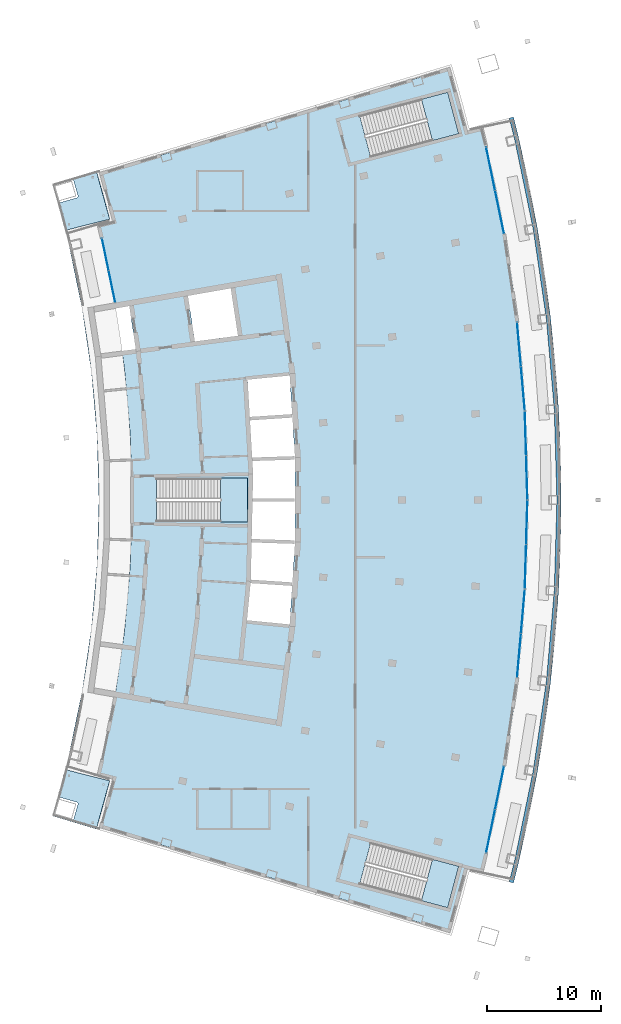
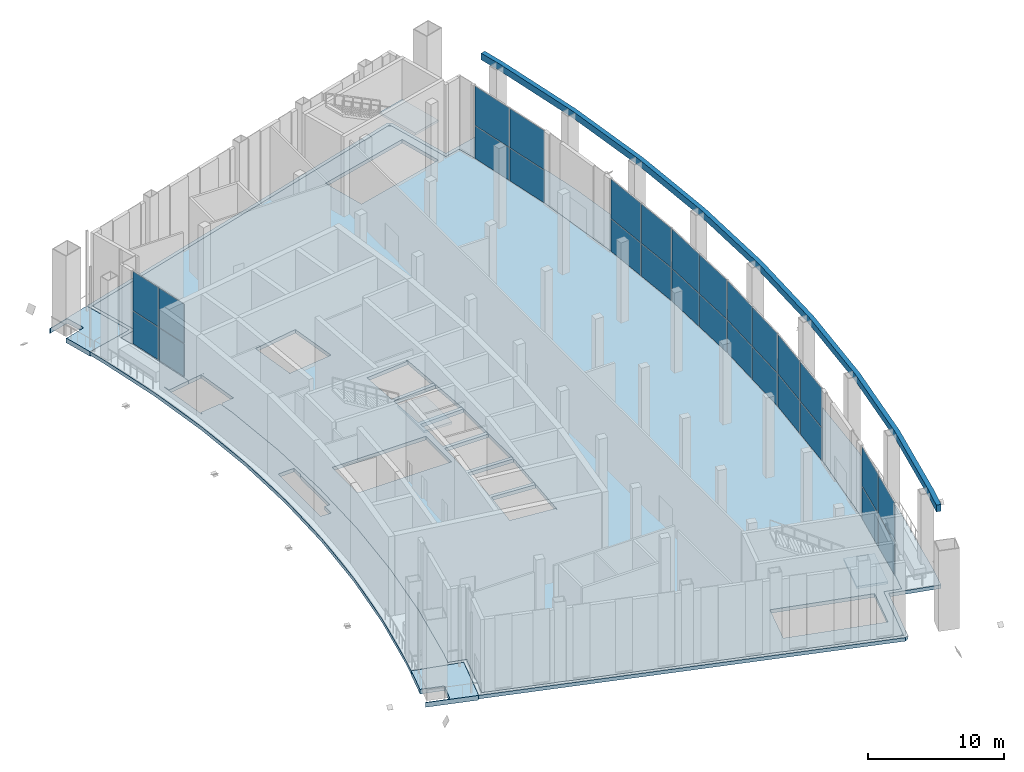
# One storey, part 12 of 25: 28 plates, 8 slabs, 10 elements without a shape of their own.
"""IFC4 building model written with IfcOpenShell, lengths in metres."""

from ifc_helpers import new_model, si_unit, direction, frame, origin, origin_2d, place, context, subcontext, project, spatial, polyline, rectangle, outline, extrude, material, layer, layer_set, type_object, element, aggregate, save


model = new_model("IFC4")

# Units and contexts
model_context = context("Model", 3, precision=1e-05, world=origin(), true_north=direction((0.0, 1.0)))
body_context = subcontext(model_context, "Body", "Model", "MODEL_VIEW")
ifc_project = project(units=[si_unit("LENGTHUNIT", "METRE"), si_unit("AREAUNIT", "SQUARE_METRE"), si_unit("VOLUMEUNIT", "CUBIC_METRE"), si_unit("PLANEANGLEUNIT", "RADIAN"), si_unit("MASSUNIT", "GRAM", prefix="KILO")], contexts=[model_context])

# Site, building, storey
site_placement = place(None, origin())
site = spatial("IfcSite", under=ifc_project, at=site_placement, CompositionType="ELEMENT")
building_placement = place(site_placement, origin())
building = spatial("IfcBuilding", under=site, at=building_placement, Name="Alderwake Tower", CompositionType="ELEMENT")
storey_placement = place(building_placement, frame((0.0, 0.0, 288.800048828125)))
storey = spatial("IfcBuildingStorey", under=building, at=storey_placement, Name="L72", CompositionType="ELEMENT", Elevation=288.800048828125)

# Slabs
ifc_material_1 = material(Name="Concrete C50/60", Category="concrete")
ifc_layer_1 = layer(ifc_material_1, 0.320068359375)
ifc_layer_set_1 = layer_set([ifc_layer_1], Name="Concrete C50/60 post-tensioned flat plate 320")
slab_type_1 = type_object("IfcSlabType", Name="Concrete C50/60 post-tensioned flat plate 320", PredefinedType="FLOOR", material=ifc_layer_set_1)
slab_1_placement = place(storey_placement, frame((0.0, 0.0, -0.320068359375)))
element("IfcSlab", 1, at=slab_1_placement, inside=storey, type_object=slab_type_1, Name="Floor slab L72", PredefinedType="FLOOR", context=body_context, shape_type="SweptSolid", body=[
    extrude(outline(polyline([(19.224609375, 74.1796875), (18.656005859375, 77.940673828125), (18.852294921875, 77.97021484375), (18.8505859375, 77.980224609375), (17.460205078125, 77.73779296875), (17.389404296875, 78.21923828125), (16.219970703125, 83.867919921875), (15.923583984375, 84.97119140625), (17.3134765625, 85.322998046875), (16.14404296875, 89.552001953125), (46.380615234375, 98.6298828125), (46.662109375, 98.474365234375), (48.14111328125, 93.126220703125), (49.454833984375, 93.458740234375), (49.88232421875, 91.8681640625), (51.4609375, 84.243408203125), (52.592529296875, 76.539794921875), (53.27294921875, 68.783203125), (53.5, 61.0), (53.27294921875, 53.216796875), (52.592529296875, 45.460205078125), (51.4609375, 37.756591796875), (49.88232421875, 30.1318359375), (49.454833984375, 28.541259765625), (48.14111328125, 28.873779296875), (46.662109375, 23.525634765625), (46.380615234375, 23.3701171875), (16.14404296875, 32.447998046875), (17.3134765625, 36.677001953125), (15.923583984375, 37.02880859375), (16.219970703125, 38.132080078125), (17.389404296875, 43.78076171875), (18.227783203125, 49.48779296875), (18.731689453125, 55.234130859375), (18.89990234375, 61.0), (18.731689453125, 66.765869140625), (18.227783203125, 72.51220703125), (18.03955078125, 73.79248046875), (18.234375, 74.050048828125), (19.224609375, 74.1796875)]), holes=[polyline([(29.25732421875, 53.7685546875), (28.939697265625, 50.49072265625), (32.646484375, 50.128173828125), (32.6318359375, 49.978759765625), (32.661865234375, 49.975830078125), (32.90087890625, 53.64794921875), (33.139892578125, 57.320068359375), (33.139892578125, 61.0), (33.139892578125, 64.679931640625), (32.90087890625, 68.35205078125), (32.661865234375, 72.024169921875), (32.6318359375, 72.021240234375), (32.646484375, 71.871826171875), (28.886962890625, 71.50390625), (28.88720703125, 71.50048828125), (28.99462890625, 71.506591796875), (29.184814453125, 68.26025390625), (32.861083984375, 68.499755859375), (32.87109375, 68.35009765625), (32.880615234375, 68.200439453125), (29.2021484375, 67.960693359375), (29.392578125, 64.7080078125), (33.105224609375, 64.828857421875), (33.110107421875, 64.678955078125), (33.114990234375, 64.529052734375), (29.41015625, 64.408447265625), (29.4765625, 63.27685546875), (29.429443359375, 61.14990234375), (33.110107421875, 61.14990234375), (33.110107421875, 61.0), (33.110107421875, 60.85009765625), (29.4228515625, 60.85009765625), (29.350830078125, 57.593505859375), (33.114990234375, 57.470947265625), (33.110107421875, 57.321044921875), (33.105224609375, 57.171142578125), (29.34423828125, 57.29345703125), (29.2705078125, 53.9697265625), (29.274169921875, 53.969482421875), (29.2783203125, 54.0341796875), (32.880615234375, 53.799560546875), (32.87109375, 53.64990234375), (32.861083984375, 53.500244140625), (29.2587890625, 53.73486328125), (29.260986328125, 53.768310546875), (29.25732421875, 53.7685546875)]), polyline([(21.050048828125, 62.875), (21.050048828125, 59.125), (29.0, 59.125), (29.0, 62.875), (21.050048828125, 62.875)]), polyline([(27.521240234375, 79.491943359375), (23.77783203125, 78.83935546875), (24.384033203125, 74.858642578125), (24.3642578125, 74.855712890625), (24.36474609375, 74.851806640625), (28.152587890625, 75.347412109375), (27.521240234375, 79.491943359375)]), polyline([(47.436279296875, 28.996826171875), (39.754150390625, 31.043212890625), (38.7890625, 27.41943359375), (46.47119140625, 25.373291015625), (47.436279296875, 28.996826171875)]), polyline([(46.47119140625, 96.626708984375), (38.7890625, 94.58056640625), (39.754150390625, 90.956787109375), (47.436279296875, 93.003173828125), (46.47119140625, 96.626708984375)])]), origin(), (0.0, 0.0, 1.0), 0.320068359375),
])
ifc_material_2 = material(Name="Concrete C50/60", Category="concrete")
ifc_layer_2 = layer(ifc_material_2, 0.60009765625)
ifc_layer_set_2 = layer_set([ifc_layer_2], Name="Concrete C50/60 roof slab 600")
slab_type_2 = type_object("IfcSlabType", Name="Concrete C50/60 roof slab 600", PredefinedType="ROOF", material=ifc_layer_set_2)
slab_2_placement = place(storey_placement, frame((0.0, 0.0, 6.599853515625)))
element("IfcSlab", 2, at=slab_2_placement, inside=storey, type_object=slab_type_2, Name="Roof slab L72 1", PredefinedType="ROOF", context=body_context, shape_type="SweptSolid", body=[
    extrude(outline(polyline([(52.70361328125, 92.538818359375), (54.316650390625, 84.748291015625), (55.472900390625, 76.877197265625), (56.16796875, 68.9521484375), (56.39990234375, 61.0), (56.16796875, 53.0478515625), (55.472900390625, 45.122802734375), (54.316650390625, 37.251708984375), (52.70361328125, 29.461181640625), (52.229736328125, 27.529541015625), (51.861328125, 27.622802734375), (51.861328125, 27.622802734375), (51.861328125, 27.622802734375), (52.333984375, 29.549072265625), (52.333984375, 29.5498046875), (53.9423828125, 37.317138671875), (53.942626953125, 37.318359375), (55.09521484375, 45.16650390625), (55.095458984375, 45.16748046875), (55.78857421875, 53.069580078125), (55.788818359375, 53.070556640625), (56.02001953125, 60.99951171875), (56.02001953125, 61.00048828125), (55.788818359375, 68.929443359375), (55.78857421875, 68.930419921875), (55.095458984375, 76.83251953125), (55.09521484375, 76.83349609375), (53.942626953125, 84.681640625), (53.9423828125, 84.682861328125), (52.333984375, 92.4501953125), (52.333984375, 92.450927734375), (51.861328125, 94.377197265625), (51.861328125, 94.377197265625), (51.861328125, 94.377197265625), (52.229736328125, 94.470458984375), (52.70361328125, 92.538818359375)])), origin(), (0.0, 0.0, 1.0), 0.60009765625),
])
ifc_material_3 = material(Name="Concrete C50/60", Category="concrete")
ifc_layer_3 = layer(ifc_material_3, 0.320068359375)
ifc_layer_set_3 = layer_set([ifc_layer_3], Name="Concrete C50/60 terrace slab 320")
slab_type_3 = type_object("IfcSlabType", Name="Concrete C50/60 terrace slab 320", PredefinedType="FLOOR", material=ifc_layer_set_3)
slab_3_placement = place(storey_placement, frame((0.0, 0.0, -0.320068359375)))
element("IfcSlab", 3, at=slab_3_placement, inside=storey, type_object=slab_type_3, Name="Terrace slab L72", PredefinedType="FLOOR", context=body_context, shape_type="SweptSolid", body=[
    extrude(outline(polyline([(13.3984375, 38.802734375), (14.53369140625, 44.28564453125), (15.347412109375, 49.825439453125), (15.836669921875, 55.4033203125), (16.0, 61.0), (15.836669921875, 66.5966796875), (15.347412109375, 72.174560546875), (14.53369140625, 77.71435546875), (13.3984375, 83.197265625), (13.06494140625, 84.556884765625), (16.942626953125, 85.53857421875), (15.776611328125, 89.7548828125), (46.587890625, 99.00537109375), (46.869384765625, 98.849853515625), (48.35205078125, 93.489013671875), (52.229736328125, 94.470458984375), (52.70361328125, 92.538818359375), (54.316650390625, 84.748291015625), (55.472900390625, 76.877197265625), (56.16796875, 68.9521484375), (56.39990234375, 61.0), (56.16796875, 53.0478515625), (55.472900390625, 45.122802734375), (54.316650390625, 37.251708984375), (52.70361328125, 29.461181640625), (52.229736328125, 27.529541015625), (48.35205078125, 28.510986328125), (46.869384765625, 23.150146484375), (46.587890625, 22.99462890625), (15.776611328125, 32.2451171875), (16.942626953125, 36.46142578125), (13.06494140625, 37.443115234375), (13.3984375, 38.802734375)]), holes=[polyline([(48.14111328125, 28.873779296875), (49.454833984375, 28.541259765625), (49.88232421875, 30.1318359375), (51.4609375, 37.756591796875), (52.592529296875, 45.460205078125), (53.27294921875, 53.216796875), (53.5, 61.0), (53.27294921875, 68.783203125), (52.592529296875, 76.539794921875), (51.4609375, 84.243408203125), (49.88232421875, 91.8681640625), (49.454833984375, 93.458740234375), (48.14111328125, 93.126220703125), (46.600830078125, 98.696044921875), (16.14404296875, 89.552001953125), (17.3134765625, 85.322998046875), (15.923583984375, 84.97119140625), (16.219970703125, 83.867919921875), (17.389404296875, 78.21923828125), (17.460205078125, 77.73779296875), (15.626220703125, 77.418212890625), (15.54345703125, 77.892822265625), (15.437744140625, 77.874267578125), (15.4384765625, 77.87060546875), (15.519287109375, 77.8828125), (16.180908203125, 73.579833984375), (16.210693359375, 73.583740234375), (16.184814453125, 73.781982421875), (18.006103515625, 74.020263671875), (18.227783203125, 72.51220703125), (18.731689453125, 66.765869140625), (18.89990234375, 61.0), (18.731689453125, 55.234130859375), (18.227783203125, 49.48779296875), (17.389404296875, 43.78076171875), (16.219970703125, 38.132080078125), (15.923583984375, 37.02880859375), (17.3134765625, 36.677001953125), (16.14404296875, 32.447998046875), (46.600830078125, 23.303955078125), (48.14111328125, 28.873779296875)]), polyline([(17.189453125, 64.114990234375), (17.189453125, 57.885009765625), (18.06298828125, 57.85400390625), (18.090576171875, 58.84375), (18.544189453125, 58.831298828125), (18.529296875, 58.8681640625), (18.5234375, 58.891845703125), (18.5185546875, 58.940673828125), (18.5185546875, 63.060302734375), (18.5234375, 63.109130859375), (18.53759765625, 63.156005859375), (18.560791015625, 63.19921875), (18.588623046875, 63.2333984375), (18.562744140625, 64.16357421875), (17.189453125, 64.114990234375)])]), origin(), (0.0, 0.0, 1.0), 0.320068359375),
])

# Stair, slab
ifc_material_4 = material(Name="Concrete C40/50", Category="concrete")
stair_type = type_object("IfcStairType", Name="Core exit stair", PredefinedType="HALF_TURN_STAIR", material=ifc_material_4)
stair_1_placement = place(storey_placement, origin())
stair_1 = element("IfcStair", 4, at=stair_1_placement, inside=storey, type_object=stair_type, Name="L72 Exit Stair B", PredefinedType="HALF_TURN_STAIR")
ifc_material_5 = material(Name="Concrete C40/50", Category="concrete")
ifc_layer_4 = layer(ifc_material_5, 0.199951171875)
ifc_layer_set_4 = layer_set([ifc_layer_4], Name="Core stair landing 200")
slab_type_4 = type_object("IfcSlabType", Name="Core stair landing 200", PredefinedType="LANDING", material=ifc_layer_set_4)
slab_4_placement = place(storey_placement, frame((0.0, 0.0, 3.39990234375)))
slab_4 = element("IfcSlab", 5, at=slab_4_placement, type_object=slab_type_4, Name="ST-B landing 1", PredefinedType="LANDING", context=body_context, shape_type="SweptSolid", body=[
    extrude(outline(polyline([(26.6298828125, 59.074951171875), (29.0, 59.074951171875), (29.0, 62.925048828125), (26.6298828125, 62.925048828125), (26.6298828125, 59.074951171875)])), origin(), (0.0, 0.0, 1.0), 0.199951171875),
])
aggregate(stair_1, [slab_4])

stair_2_placement = place(storey_placement, origin())
stair_2 = element("IfcStair", 6, at=stair_2_placement, inside=storey, type_object=stair_type, Name="L72 Exit Stair A", PredefinedType="HALF_TURN_STAIR")
slab_5_placement = place(storey_placement, frame((0.0, 0.0, 3.39990234375)))
slab_5 = element("IfcSlab", 7, at=slab_5_placement, type_object=slab_type_4, Name="ST-A landing 1", PredefinedType="LANDING", context=body_context, shape_type="SweptSolid", body=[
    extrude(outline(polyline([(45.146240234375, 92.39306640625), (47.436279296875, 93.003173828125), (46.47119140625, 96.626708984375), (44.18115234375, 96.0166015625), (45.146240234375, 92.39306640625)])), origin(), (0.0, 0.0, 1.0), 0.199951171875),
])
aggregate(stair_2, [slab_5])

stair_3_placement = place(storey_placement, origin())
stair_3 = element("IfcStair", 8, at=stair_3_placement, inside=storey, type_object=stair_type, Name="L72 Exit Stair C", PredefinedType="HALF_TURN_STAIR")
slab_6_placement = place(storey_placement, frame((0.0, 0.0, 3.39990234375)))
slab_6 = element("IfcSlab", 9, at=slab_6_placement, type_object=slab_type_4, Name="ST-C landing 1", PredefinedType="LANDING", context=body_context, shape_type="SweptSolid", body=[
    extrude(outline(polyline([(44.180908203125, 25.983154296875), (46.47119140625, 25.373291015625), (47.436279296875, 28.996826171875), (45.146240234375, 29.60693359375), (44.180908203125, 25.983154296875)])), origin(), (0.0, 0.0, 1.0), 0.199951171875),
])
aggregate(stair_3, [slab_6])

# Curtain wall, plates
ifc_material_6 = material(Name="Bronze tinted glass in aluminium frame", Category="aluminium")
ifc_layer_5 = layer(ifc_material_6, 0.199951171875)
ifc_layer_set_5 = layer_set([ifc_layer_5], Name="Curtain wall CW3 sky garden glazing")
curtain_wall_type = type_object("IfcCurtainWallType", Name="Curtain wall CW3 sky garden glazing", PredefinedType="NOTDEFINED", material=ifc_layer_set_5)
curtain_wall_1_placement = place(storey_placement, origin())
curtain_wall_1 = element("IfcCurtainWall", 10, at=curtain_wall_1_placement, inside=storey, type_object=curtain_wall_type, Name="Curtain wall 1", PredefinedType="NOTDEFINED")
ifc_material_7 = material(Name="Bronze tinted glass in aluminium frame", Category="aluminium")
ifc_layer_6 = layer(ifc_material_7, 0.028076171875)
ifc_layer_set_6 = layer_set([ifc_layer_6], Name="Glass panel GPC 28")
plate_type = type_object("IfcPlateType", Name="Glass panel GPC 28", PredefinedType="CURTAIN_PANEL", material=ifc_layer_set_6)
plate_1_placement = place(storey_placement, frame((16.564208984375, 82.451416015625, 0.06005859375), z_axis=(0.0, 0.0, 1.0), x_axis=(0.202754693524, -0.979229561571, 0.0)))
plate_1 = element("IfcPlate", 11, at=plate_1_placement, type_object=plate_type, Name="CW.01 panel 1.1", PredefinedType="CURTAIN_PANEL", context=body_context, shape_type="SweptSolid", body=[
    extrude(rectangle(XDim=2.793212890625, YDim=0.028076171875, at=origin_2d()), origin(), (0.0, 0.0, 1.0), 2.909912109375),
])
plate_2_placement = place(storey_placement, frame((16.564208984375, 82.451416015625, 3.02978515625), z_axis=(0.0, 0.0, 1.0), x_axis=(0.202754693524, -0.979229561571, 0.0)))
plate_2 = element("IfcPlate", 12, at=plate_2_placement, type_object=plate_type, Name="CW.01 panel 1.2", PredefinedType="CURTAIN_PANEL", context=body_context, shape_type="SweptSolid", body=[
    extrude(rectangle(XDim=2.793212890625, YDim=0.028076171875, at=origin_2d()), origin(), (0.0, 0.0, 1.0), 3.510009765625),
])
plate_3_placement = place(storey_placement, frame((17.142822265625, 79.657470703125, 0.06005859375), z_axis=(0.0, 0.0, 1.0), x_axis=(0.202754693524, -0.979229561571, 0.0)))
plate_3 = element("IfcPlate", 13, at=plate_3_placement, type_object=plate_type, Name="CW.01 panel 2.1", PredefinedType="CURTAIN_PANEL", context=body_context, shape_type="SweptSolid", body=[
    extrude(rectangle(XDim=2.793212890625, YDim=0.028076171875, at=origin_2d()), origin(), (0.0, 0.0, 1.0), 2.909912109375),
])
plate_4_placement = place(storey_placement, frame((17.142822265625, 79.657470703125, 3.02978515625), z_axis=(0.0, 0.0, 1.0), x_axis=(0.202754693524, -0.979229561571, 0.0)))
plate_4 = element("IfcPlate", 14, at=plate_4_placement, type_object=plate_type, Name="CW.01 panel 2.2", PredefinedType="CURTAIN_PANEL", context=body_context, shape_type="SweptSolid", body=[
    extrude(rectangle(XDim=2.793212890625, YDim=0.028076171875, at=origin_2d()), origin(), (0.0, 0.0, 1.0), 3.510009765625),
])
aggregate(curtain_wall_1, [plate_1, plate_2, plate_3, plate_4])

curtain_wall_2_placement = place(storey_placement, origin())
curtain_wall_2 = element("IfcCurtainWall", 15, at=curtain_wall_2_placement, inside=storey, type_object=curtain_wall_type, Name="Curtain wall 2", PredefinedType="NOTDEFINED")
plate_5_placement = place(storey_placement, frame((50.23095703125, 32.062744140625, 0.06005859375), z_axis=(0.0, 0.0, 1.0), x_axis=(0.20275041729, 0.979230446978, 0.0)))
plate_5 = element("IfcPlate", 16, at=plate_5_placement, type_object=plate_type, Name="CW.02 panel 1.1", PredefinedType="CURTAIN_PANEL", context=body_context, shape_type="SweptSolid", body=[
    extrude(rectangle(XDim=3.80322265625, YDim=0.028076171875, at=origin_2d()), origin(), (0.0, 0.0, 1.0), 2.909912109375),
])
plate_6_placement = place(storey_placement, frame((50.23095703125, 32.062744140625, 3.02978515625), z_axis=(0.0, 0.0, 1.0), x_axis=(0.20275041729, 0.979230446978, 0.0)))
plate_6 = element("IfcPlate", 17, at=plate_6_placement, type_object=plate_type, Name="CW.02 panel 1.2", PredefinedType="CURTAIN_PANEL", context=body_context, shape_type="SweptSolid", body=[
    extrude(rectangle(XDim=3.80322265625, YDim=0.028076171875, at=origin_2d()), origin(), (0.0, 0.0, 1.0), 3.510009765625),
])
plate_7_placement = place(storey_placement, frame((51.014404296875, 35.845947265625, 0.06005859375), z_axis=(0.0, 0.0, 1.0), x_axis=(0.20275041729, 0.979230446978, 0.0)))
plate_7 = element("IfcPlate", 18, at=plate_7_placement, type_object=plate_type, Name="CW.02 panel 2.1", PredefinedType="CURTAIN_PANEL", context=body_context, shape_type="SweptSolid", body=[
    extrude(rectangle(XDim=3.80322265625, YDim=0.028076171875, at=origin_2d()), origin(), (0.0, 0.0, 1.0), 2.909912109375),
])
plate_8_placement = place(storey_placement, frame((51.014404296875, 35.845947265625, 3.02978515625), z_axis=(0.0, 0.0, 1.0), x_axis=(0.20275041729, 0.979230446978, 0.0)))
plate_8 = element("IfcPlate", 19, at=plate_8_placement, type_object=plate_type, Name="CW.02 panel 2.2", PredefinedType="CURTAIN_PANEL", context=body_context, shape_type="SweptSolid", body=[
    extrude(rectangle(XDim=3.80322265625, YDim=0.028076171875, at=origin_2d()), origin(), (0.0, 0.0, 1.0), 3.510009765625),
])
aggregate(curtain_wall_2, [plate_5, plate_6, plate_7, plate_8])

curtain_wall_3_placement = place(storey_placement, origin())
curtain_wall_3 = element("IfcCurtainWall", 20, at=curtain_wall_3_placement, inside=storey, type_object=curtain_wall_type, Name="Curtain wall 3", PredefinedType="NOTDEFINED")
plate_9_placement = place(storey_placement, frame((52.714111328125, 47.418701171875, 0.06005859375), z_axis=(0.0, 0.0, 1.0), x_axis=(0.087383300533, 0.996174763176, 0.0)))
plate_9 = element("IfcPlate", 21, at=plate_9_placement, type_object=plate_type, Name="CW.03 panel 1.1", PredefinedType="CURTAIN_PANEL", context=body_context, shape_type="SweptSolid", body=[
    extrude(rectangle(XDim=3.80322265625, YDim=0.028076171875, at=origin_2d()), origin(), (0.0, 0.0, 1.0), 2.909912109375),
])
plate_10_placement = place(storey_placement, frame((52.714111328125, 47.418701171875, 3.02978515625), z_axis=(0.0, 0.0, 1.0), x_axis=(0.087383300533, 0.996174763176, 0.0)))
plate_10 = element("IfcPlate", 22, at=plate_10_placement, type_object=plate_type, Name="CW.03 panel 1.2", PredefinedType="CURTAIN_PANEL", context=body_context, shape_type="SweptSolid", body=[
    extrude(rectangle(XDim=3.80322265625, YDim=0.028076171875, at=origin_2d()), origin(), (0.0, 0.0, 1.0), 3.510009765625),
])
plate_11_placement = place(storey_placement, frame((53.0517578125, 51.26708984375, 0.06005859375), z_axis=(0.0, 0.0, 1.0), x_axis=(0.087383300533, 0.996174763176, 0.0)))
plate_11 = element("IfcPlate", 23, at=plate_11_placement, type_object=plate_type, Name="CW.03 panel 2.1", PredefinedType="CURTAIN_PANEL", context=body_context, shape_type="SweptSolid", body=[
    extrude(rectangle(XDim=3.80322265625, YDim=0.028076171875, at=origin_2d()), origin(), (0.0, 0.0, 1.0), 2.909912109375),
])
plate_12_placement = place(storey_placement, frame((53.0517578125, 51.26708984375, 3.02978515625), z_axis=(0.0, 0.0, 1.0), x_axis=(0.087383300533, 0.996174763176, 0.0)))
plate_12 = element("IfcPlate", 24, at=plate_12_placement, type_object=plate_type, Name="CW.03 panel 2.2", PredefinedType="CURTAIN_PANEL", context=body_context, shape_type="SweptSolid", body=[
    extrude(rectangle(XDim=3.80322265625, YDim=0.028076171875, at=origin_2d()), origin(), (0.0, 0.0, 1.0), 3.510009765625),
])
aggregate(curtain_wall_3, [plate_9, plate_10, plate_11, plate_12])

curtain_wall_4_placement = place(storey_placement, origin())
curtain_wall_4 = element("IfcCurtainWall", 25, at=curtain_wall_4_placement, inside=storey, type_object=curtain_wall_type, Name="Curtain wall 4", PredefinedType="NOTDEFINED")
plate_13_placement = place(storey_placement, frame((53.280029296875, 55.17919921875, 0.06005859375), z_axis=(0.0, 0.0, 1.0), x_axis=(0.029166191657, 0.999574576139, 0.0)))
plate_13 = element("IfcPlate", 26, at=plate_13_placement, type_object=plate_type, Name="CW.04 panel 1.1", PredefinedType="CURTAIN_PANEL", context=body_context, shape_type="SweptSolid", body=[
    extrude(rectangle(XDim=3.80322265625, YDim=0.028076171875, at=origin_2d()), origin(), (0.0, 0.0, 1.0), 2.909912109375),
])
plate_14_placement = place(storey_placement, frame((53.280029296875, 55.17919921875, 3.02978515625), z_axis=(0.0, 0.0, 1.0), x_axis=(0.029166191657, 0.999574576139, 0.0)))
plate_14 = element("IfcPlate", 27, at=plate_14_placement, type_object=plate_type, Name="CW.04 panel 1.2", PredefinedType="CURTAIN_PANEL", context=body_context, shape_type="SweptSolid", body=[
    extrude(rectangle(XDim=3.80322265625, YDim=0.028076171875, at=origin_2d()), origin(), (0.0, 0.0, 1.0), 3.510009765625),
])
plate_15_placement = place(storey_placement, frame((53.392822265625, 59.040771484375, 0.06005859375), z_axis=(0.0, 0.0, 1.0), x_axis=(0.029166191657, 0.999574576139, 0.0)))
plate_15 = element("IfcPlate", 28, at=plate_15_placement, type_object=plate_type, Name="CW.04 panel 2.1", PredefinedType="CURTAIN_PANEL", context=body_context, shape_type="SweptSolid", body=[
    extrude(rectangle(XDim=3.80322265625, YDim=0.028076171875, at=origin_2d()), origin(), (0.0, 0.0, 1.0), 2.909912109375),
])
plate_16_placement = place(storey_placement, frame((53.392822265625, 59.040771484375, 3.02978515625), z_axis=(0.0, 0.0, 1.0), x_axis=(0.029166191657, 0.999574576139, 0.0)))
plate_16 = element("IfcPlate", 29, at=plate_16_placement, type_object=plate_type, Name="CW.04 panel 2.2", PredefinedType="CURTAIN_PANEL", context=body_context, shape_type="SweptSolid", body=[
    extrude(rectangle(XDim=3.80322265625, YDim=0.028076171875, at=origin_2d()), origin(), (0.0, 0.0, 1.0), 3.510009765625),
])
aggregate(curtain_wall_4, [plate_13, plate_14, plate_15, plate_16])

curtain_wall_5_placement = place(storey_placement, origin())
curtain_wall_5 = element("IfcCurtainWall", 30, at=curtain_wall_5_placement, inside=storey, type_object=curtain_wall_type, Name="Curtain wall 5", PredefinedType="NOTDEFINED")
plate_17_placement = place(storey_placement, frame((53.392822265625, 62.959228515625, 0.06005859375), z_axis=(0.0, 0.0, 1.0), x_axis=(-0.029166191657, 0.999574576139, 0.0)))
plate_17 = element("IfcPlate", 31, at=plate_17_placement, type_object=plate_type, Name="CW.05 panel 1.1", PredefinedType="CURTAIN_PANEL", context=body_context, shape_type="SweptSolid", body=[
    extrude(rectangle(XDim=3.80322265625, YDim=0.028076171875, at=origin_2d()), origin(), (0.0, 0.0, 1.0), 2.909912109375),
])
plate_18_placement = place(storey_placement, frame((53.392822265625, 62.959228515625, 3.02978515625), z_axis=(0.0, 0.0, 1.0), x_axis=(-0.029166191657, 0.999574576139, 0.0)))
plate_18 = element("IfcPlate", 32, at=plate_18_placement, type_object=plate_type, Name="CW.05 panel 1.2", PredefinedType="CURTAIN_PANEL", context=body_context, shape_type="SweptSolid", body=[
    extrude(rectangle(XDim=3.80322265625, YDim=0.028076171875, at=origin_2d()), origin(), (0.0, 0.0, 1.0), 3.510009765625),
])
plate_19_placement = place(storey_placement, frame((53.280029296875, 66.82080078125, 0.06005859375), z_axis=(0.0, 0.0, 1.0), x_axis=(-0.029166191657, 0.999574576139, 0.0)))
plate_19 = element("IfcPlate", 33, at=plate_19_placement, type_object=plate_type, Name="CW.05 panel 2.1", PredefinedType="CURTAIN_PANEL", context=body_context, shape_type="SweptSolid", body=[
    extrude(rectangle(XDim=3.80322265625, YDim=0.028076171875, at=origin_2d()), origin(), (0.0, 0.0, 1.0), 2.909912109375),
])
plate_20_placement = place(storey_placement, frame((53.280029296875, 66.82080078125, 3.02978515625), z_axis=(0.0, 0.0, 1.0), x_axis=(-0.029166191657, 0.999574576139, 0.0)))
plate_20 = element("IfcPlate", 34, at=plate_20_placement, type_object=plate_type, Name="CW.05 panel 2.2", PredefinedType="CURTAIN_PANEL", context=body_context, shape_type="SweptSolid", body=[
    extrude(rectangle(XDim=3.80322265625, YDim=0.028076171875, at=origin_2d()), origin(), (0.0, 0.0, 1.0), 3.510009765625),
])
aggregate(curtain_wall_5, [plate_17, plate_18, plate_19, plate_20])

curtain_wall_6_placement = place(storey_placement, origin())
curtain_wall_6 = element("IfcCurtainWall", 35, at=curtain_wall_6_placement, inside=storey, type_object=curtain_wall_type, Name="Curtain wall 6", PredefinedType="NOTDEFINED")
plate_21_placement = place(storey_placement, frame((53.0517578125, 70.73291015625, 0.06005859375), z_axis=(0.0, 0.0, 1.0), x_axis=(-0.087383300533, 0.996174763176, 0.0)))
plate_21 = element("IfcPlate", 36, at=plate_21_placement, type_object=plate_type, Name="CW.06 panel 1.1", PredefinedType="CURTAIN_PANEL", context=body_context, shape_type="SweptSolid", body=[
    extrude(rectangle(XDim=3.80322265625, YDim=0.028076171875, at=origin_2d()), origin(), (0.0, 0.0, 1.0), 2.909912109375),
])
plate_22_placement = place(storey_placement, frame((53.0517578125, 70.73291015625, 3.02978515625), z_axis=(0.0, 0.0, 1.0), x_axis=(-0.087383300533, 0.996174763176, 0.0)))
plate_22 = element("IfcPlate", 37, at=plate_22_placement, type_object=plate_type, Name="CW.06 panel 1.2", PredefinedType="CURTAIN_PANEL", context=body_context, shape_type="SweptSolid", body=[
    extrude(rectangle(XDim=3.80322265625, YDim=0.028076171875, at=origin_2d()), origin(), (0.0, 0.0, 1.0), 3.510009765625),
])
plate_23_placement = place(storey_placement, frame((52.714111328125, 74.581298828125, 0.06005859375), z_axis=(0.0, 0.0, 1.0), x_axis=(-0.087383300533, 0.996174763176, 0.0)))
plate_23 = element("IfcPlate", 38, at=plate_23_placement, type_object=plate_type, Name="CW.06 panel 2.1", PredefinedType="CURTAIN_PANEL", context=body_context, shape_type="SweptSolid", body=[
    extrude(rectangle(XDim=3.80322265625, YDim=0.028076171875, at=origin_2d()), origin(), (0.0, 0.0, 1.0), 2.909912109375),
])
plate_24_placement = place(storey_placement, frame((52.714111328125, 74.581298828125, 3.02978515625), z_axis=(0.0, 0.0, 1.0), x_axis=(-0.087383300533, 0.996174763176, 0.0)))
plate_24 = element("IfcPlate", 39, at=plate_24_placement, type_object=plate_type, Name="CW.06 panel 2.2", PredefinedType="CURTAIN_PANEL", context=body_context, shape_type="SweptSolid", body=[
    extrude(rectangle(XDim=3.80322265625, YDim=0.028076171875, at=origin_2d()), origin(), (0.0, 0.0, 1.0), 3.510009765625),
])
aggregate(curtain_wall_6, [plate_21, plate_22, plate_23, plate_24])

curtain_wall_7_placement = place(storey_placement, origin())
curtain_wall_7 = element("IfcCurtainWall", 40, at=curtain_wall_7_placement, inside=storey, type_object=curtain_wall_type, Name="Curtain wall 7", PredefinedType="NOTDEFINED")
plate_25_placement = place(storey_placement, frame((51.014404296875, 86.154052734375, 0.06005859375), z_axis=(0.0, 0.0, 1.0), x_axis=(-0.20275041729, 0.979230446978, 0.0)))
plate_25 = element("IfcPlate", 41, at=plate_25_placement, type_object=plate_type, Name="CW.07 panel 1.1", PredefinedType="CURTAIN_PANEL", context=body_context, shape_type="SweptSolid", body=[
    extrude(rectangle(XDim=3.80322265625, YDim=0.028076171875, at=origin_2d()), origin(), (0.0, 0.0, 1.0), 2.909912109375),
])
plate_26_placement = place(storey_placement, frame((51.014404296875, 86.154052734375, 3.02978515625), z_axis=(0.0, 0.0, 1.0), x_axis=(-0.20275041729, 0.979230446978, 0.0)))
plate_26 = element("IfcPlate", 42, at=plate_26_placement, type_object=plate_type, Name="CW.07 panel 1.2", PredefinedType="CURTAIN_PANEL", context=body_context, shape_type="SweptSolid", body=[
    extrude(rectangle(XDim=3.80322265625, YDim=0.028076171875, at=origin_2d()), origin(), (0.0, 0.0, 1.0), 3.510009765625),
])
plate_27_placement = place(storey_placement, frame((50.23095703125, 89.937255859375, 0.06005859375), z_axis=(0.0, 0.0, 1.0), x_axis=(-0.20275041729, 0.979230446978, 0.0)))
plate_27 = element("IfcPlate", 43, at=plate_27_placement, type_object=plate_type, Name="CW.07 panel 2.1", PredefinedType="CURTAIN_PANEL", context=body_context, shape_type="SweptSolid", body=[
    extrude(rectangle(XDim=3.80322265625, YDim=0.028076171875, at=origin_2d()), origin(), (0.0, 0.0, 1.0), 2.909912109375),
])
plate_28_placement = place(storey_placement, frame((50.23095703125, 89.937255859375, 3.02978515625), z_axis=(0.0, 0.0, 1.0), x_axis=(-0.20275041729, 0.979230446978, 0.0)))
plate_28 = element("IfcPlate", 44, at=plate_28_placement, type_object=plate_type, Name="CW.07 panel 2.2", PredefinedType="CURTAIN_PANEL", context=body_context, shape_type="SweptSolid", body=[
    extrude(rectangle(XDim=3.80322265625, YDim=0.028076171875, at=origin_2d()), origin(), (0.0, 0.0, 1.0), 3.510009765625),
])
aggregate(curtain_wall_7, [plate_25, plate_26, plate_27, plate_28])

# Slabs
ifc_material_8 = material(Name="Concrete C50/60", Category="concrete")
ifc_layer_7 = layer(ifc_material_8, 0.419921875)
ifc_layer_set_7 = layer_set([ifc_layer_7], Name="Terrace slab 420")
slab_type_5 = type_object("IfcSlabType", Name="Terrace slab 420", PredefinedType="FLOOR", material=ifc_layer_set_7)
slab_7_placement = place(storey_placement, frame((0.0, 0.0, -0.420166015625)))
element("IfcSlab", 45, at=slab_7_placement, inside=storey, type_object=slab_type_5, Name="Corner terrace RS", PredefinedType="FLOOR", context=body_context, shape_type="SweptSolid", body=[
    extrude(outline(polyline([(15.776611328125, 32.2451171875), (11.945556640625, 33.395263671875), (11.9697265625, 33.478271484375), (11.97607421875, 33.46826171875), (11.985107421875, 33.456298828125), (11.9951171875, 33.44580078125), (12.006103515625, 33.435791015625), (12.017822265625, 33.42724609375), (12.03076171875, 33.419921875), (12.0439453125, 33.413818359375), (12.05810546875, 33.408935546875), (13.594482421875, 32.963134765625), (13.60888671875, 32.959716796875), (13.62353515625, 32.957763671875), (13.63818359375, 32.957275390625), (13.65283203125, 32.9580078125), (13.66748046875, 32.96044921875), (13.681640625, 32.964111328125), (13.695556640625, 32.969482421875), (13.708740234375, 32.975830078125), (13.72119140625, 32.9833984375), (13.73291015625, 32.992431640625), (13.74365234375, 33.00244140625), (13.75341796875, 33.013427734375), (13.76220703125, 33.025390625), (13.76953125, 33.0380859375), (13.775634765625, 33.051513671875), (13.780517578125, 33.0654296875), (14.17041015625, 34.409912109375), (14.173828125, 34.42431640625), (14.17578125, 34.43896484375), (14.176513671875, 34.45361328125), (14.175537109375, 34.46826171875), (14.173095703125, 34.48291015625), (14.16943359375, 34.4970703125), (14.164306640625, 34.510986328125), (14.157958984375, 34.524169921875), (14.150146484375, 34.53662109375), (14.14111328125, 34.54833984375), (14.131103515625, 34.55908203125), (14.1201171875, 34.56884765625), (14.1083984375, 34.577392578125), (14.095458984375, 34.5849609375), (14.082275390625, 34.591064453125), (14.068115234375, 34.595947265625), (12.531494140625, 35.04150390625), (12.517333984375, 35.044921875), (12.502685546875, 35.047119140625), (12.488037109375, 35.047607421875), (12.473388671875, 35.046630859375), (12.458740234375, 35.044189453125), (12.444580078125, 35.04052734375), (12.4306640625, 35.035400390625), (12.418701171875, 35.029541015625), (12.71142578125, 36.08837890625), (13.06494140625, 37.443115234375), (16.942626953125, 36.46142578125), (15.776611328125, 32.2451171875)])), origin(), (0.0, 0.0, 1.0), 0.420166015625),
])
slab_8_placement = place(storey_placement, frame((0.0, 0.0, -0.420166015625)))
element("IfcSlab", 46, at=slab_8_placement, inside=storey, type_object=slab_type_5, Name="Corner terrace RN", PredefinedType="FLOOR", context=body_context, shape_type="SweptSolid", body=[
    extrude(outline(polyline([(12.418701171875, 86.970458984375), (12.4306640625, 86.964599609375), (12.444580078125, 86.95947265625), (12.458740234375, 86.955810546875), (12.473388671875, 86.953369140625), (12.488037109375, 86.952392578125), (12.502685546875, 86.952880859375), (12.517333984375, 86.955078125), (12.531494140625, 86.95849609375), (14.068115234375, 87.404052734375), (14.082275390625, 87.408935546875), (14.095458984375, 87.4150390625), (14.1083984375, 87.422607421875), (14.1201171875, 87.43115234375), (14.131103515625, 87.44091796875), (14.14111328125, 87.45166015625), (14.150146484375, 87.46337890625), (14.157958984375, 87.475830078125), (14.164306640625, 87.489013671875), (14.16943359375, 87.5029296875), (14.173095703125, 87.51708984375), (14.175537109375, 87.53173828125), (14.176513671875, 87.54638671875), (14.17578125, 87.56103515625), (14.173828125, 87.57568359375), (14.17041015625, 87.590087890625), (13.780517578125, 88.9345703125), (13.775634765625, 88.948486328125), (13.76953125, 88.9619140625), (13.76220703125, 88.974609375), (13.75341796875, 88.986572265625), (13.74365234375, 88.99755859375), (13.73291015625, 89.007568359375), (13.72119140625, 89.0166015625), (13.708740234375, 89.024169921875), (13.695556640625, 89.030517578125), (13.681640625, 89.035888671875), (13.66748046875, 89.03955078125), (13.65283203125, 89.0419921875), (13.63818359375, 89.042724609375), (13.62353515625, 89.042236328125), (13.60888671875, 89.040283203125), (13.594482421875, 89.036865234375), (12.05810546875, 88.591064453125), (12.0439453125, 88.586181640625), (12.03076171875, 88.580078125), (12.017822265625, 88.57275390625), (12.006103515625, 88.564208984375), (11.9951171875, 88.55419921875), (11.985107421875, 88.543701171875), (11.97607421875, 88.53173828125), (11.9697265625, 88.521728515625), (11.945556640625, 88.604736328125), (15.776611328125, 89.7548828125), (16.942626953125, 85.53857421875), (13.06494140625, 84.556884765625), (12.71142578125, 85.91162109375), (12.418701171875, 86.970458984375)])), origin(), (0.0, 0.0, 1.0), 0.420166015625),
])

save(model, "model.ifc")
